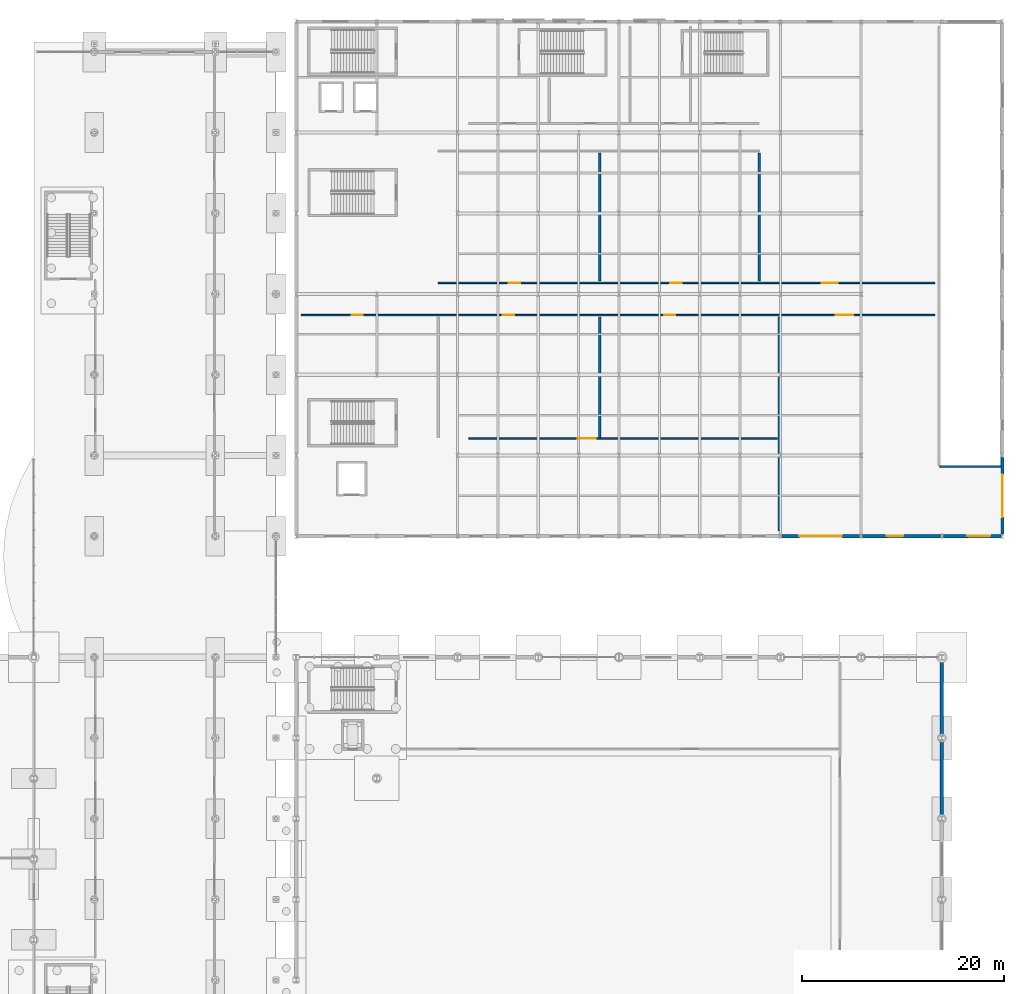
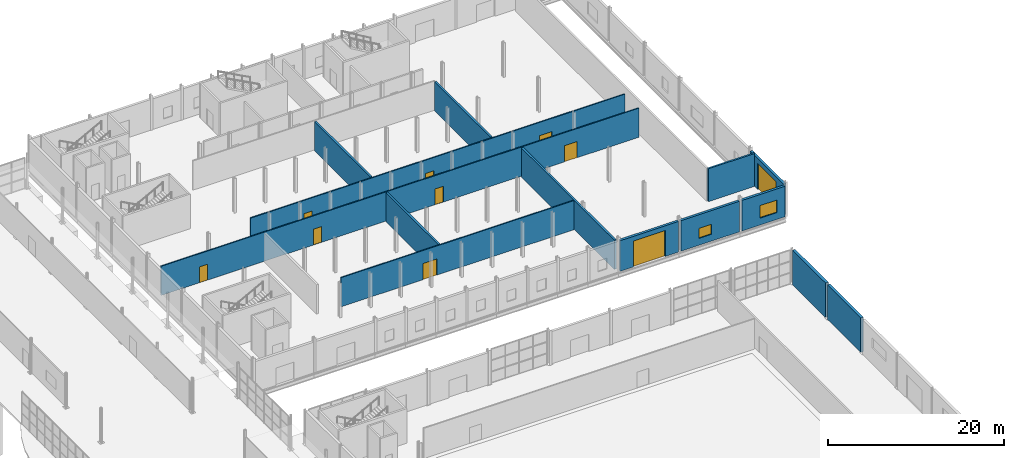
# One storey, part 82 of 101: 14 walls, 10 doors, 2 windows, 12 openings.
"""IFC4 building model written with IfcOpenShell, lengths in metres."""

from ifc_helpers import new_model, si_unit, derived_unit, direction, frame, frame_2d, origin, place, context, subcontext, project, spatial, rectangle, extrude, material, layer, layer_set, type_object, element, fill, save


model = new_model("IFC4")

# Units and contexts
model_context = context("Model", 3, precision=1e-05, world=origin(), true_north=direction((0.0, 1.0)))
body_context = subcontext(model_context, "Body", "Model", "MODEL_VIEW")
ifc_project = project(units=[si_unit("LENGTHUNIT", "METRE"), si_unit("AREAUNIT", "SQUARE_METRE"), si_unit("VOLUMEUNIT", "CUBIC_METRE"), si_unit("PLANEANGLEUNIT", "RADIAN"), si_unit("MASSUNIT", "GRAM", prefix="KILO"), derived_unit("THERMALTRANSMITTANCEUNIT", [(si_unit("POWERUNIT", "WATT"), 1), (si_unit("LENGTHUNIT", "METRE"), -2), (si_unit("THERMODYNAMICTEMPERATUREUNIT", "KELVIN"), -1)])], contexts=[model_context])

# Site, building, storey
site_placement = place(None, origin())
site = spatial("IfcSite", under=ifc_project, at=site_placement, CompositionType="ELEMENT")
building_placement = place(site_placement, origin())
building = spatial("IfcBuilding", under=site, at=building_placement, Name="Keldorne Ridge Multi-Sports Centre", CompositionType="ELEMENT")
storey_placement = place(building_placement, origin())
storey = spatial("IfcBuildingStorey", under=building, at=storey_placement, Name="L00", CompositionType="ELEMENT", Elevation=0.0)

# Walls
ifc_material_1 = material(Name="Moisture-resistant twin plumbing wall")
ifc_layer_1 = layer(ifc_material_1, 0.260009765625)
ifc_layer_set_1 = layer_set([ifc_layer_1])
wall_type_1 = type_object("IfcWallType", Name="WAL-PL-02", PredefinedType="PLUMBINGWALL", material=ifc_layer_set_1)
wall_1_placement = place(storey_placement, frame((134.10009765625, 75.800048828125, 0.0), z_axis=(0.0, 0.0, 1.0), x_axis=(0.0, 1.0, 0.0)))
element("IfcWall", 1, at=wall_1_placement, inside=storey, type_object=wall_type_1, Name="Team changing plumbing wall IW-L00-033", PredefinedType="PLUMBINGWALL", context=body_context, shape_type="SweptSolid", body=[
    extrude(rectangle(XDim=11.89990234375, YDim=0.260009765625, at=frame_2d((5.949951171875, 0.0))), origin(), (0.0, 0.0, 1.0), 4.050048828125),
])
wall_2_placement = place(storey_placement, frame((151.89990234375, 66.5, 0.0), z_axis=(0.0, 0.0, 1.0), x_axis=(0.0, 1.0, 0.0)))
element("IfcWall", 2, at=wall_2_placement, inside=storey, type_object=wall_type_1, Name="Team changing plumbing wall IW-L00-034", PredefinedType="PLUMBINGWALL", context=body_context, shape_type="SweptSolid", body=[
    extrude(rectangle(XDim=21.199951171875, YDim=0.260009765625, at=frame_2d((10.60009765625, 0.0))), origin(), (0.0, 0.0, 1.0), 4.050048828125),
])
for number, where, z_axis, x_axis, name in (
    (3, (134.10009765625, 91.300048828125, 0.0), (0.0, 0.0, 1.0), (0.0, 1.0, 0.0), "Team changing plumbing wall IW-L00-035"),
    (4, (149.89990234375, 91.300048828125, 0.0), (0.0, 0.0, 1.0), (0.0, 1.0, 0.0), "Team changing plumbing wall IW-L00-036"),
):
    element("IfcWall", number, at=place(storey_placement, frame(where, z_axis=z_axis, x_axis=x_axis)), inside=storey, type_object=wall_type_1, Name=name, PredefinedType="PLUMBINGWALL", context=body_context, shape_type="SweptSolid", body=[
        extrude(rectangle(XDim=12.699951171875, YDim=0.260009765625, at=frame_2d((6.35009765625, 0.0))), origin(), (0.0, 0.0, 1.0), 4.050048828125),
    ])

# Wall, opening, door
ifc_material_2 = material(Name="Precast concrete C40/50", Category="concrete")
ifc_layer_2 = layer(ifc_material_2, 0.320068359375)
ifc_layer_set_2 = layer_set([ifc_layer_2], Name="Precast concrete C40/50")
wall_type_2 = type_object("IfcWallType", Name="WAL-PR-W1", PredefinedType="STANDARD", material=ifc_layer_set_2)
wall_3_placement = place(storey_placement, frame((152.152099609375, 66.0, 0.0), z_axis=(0.0, 0.0, 1.0), x_axis=(1.0, 0.0, 0.0)))
wall_3 = element("IfcWall", 5, at=wall_3_placement, inside=storey, type_object=wall_type_2, Name="East Wing L00 south facade 11", PredefinedType="STANDARD", context=body_context, shape_type="SweptSolid", body=[
    extrude(rectangle(XDim=7.69580078125, YDim=0.320068359375, at=frame_2d((3.847900390625, 0.0))), origin(), (0.0, 0.0, 1.0), 4.2548828125),
])
opening_1_placement = place(wall_3_placement, frame((1.738037109375, 0.0, 0.0)))
opening_1 = element("IfcOpeningElement", 6, at=opening_1_placement, cuts=wall_3, Name="Opening VG-02", PredefinedType="OPENING", context=body_context, shape_type="SweptSolid", body=[
    extrude(rectangle(XDim=4.199951171875, YDim=3.60009765625, at=frame_2d((2.10009765625, 1.800048828125))), frame((0.0, 0.169921875, 0.0), z_axis=(0.0, -1.0, 0.0), x_axis=(1.0, 0.0, 0.0)), (0.0, 0.0, 1.0), 0.340087890625),
])
ifc_material_3 = material(Name="Galvanized steel", Category="steel")
door_type_1 = type_object("IfcDoorType", Name="DR-VG-02", OperationType="NOTDEFINED", PredefinedType="GATE", material=ifc_material_3)
door_1_placement = place(opening_1_placement, origin())
door_1 = element("IfcDoor", 7, at=door_1_placement, inside=storey, type_object=door_type_1, Name="Loading bay roller shutter gate VG-02", OperationType="ROLLINGUP", OverallHeight=3.60009765625, OverallWidth=4.199951171875, PredefinedType="GATE", context=body_context, shape_type="SweptSolid", body=[
    extrude(rectangle(XDim=4.199951171875, YDim=3.60009765625, at=frame_2d((2.10009765625, 1.800048828125))), frame((0.0, 0.02490234375, 0.0), z_axis=(0.0, -1.0, 0.0), x_axis=(1.0, 0.0, 0.0)), (0.0, 0.0, 1.0), 0.050048828125),
])
fill(opening_1, door_1)

# Wall, opening, window
wall_4_placement = place(storey_placement, frame((160.152099609375, 66.0, 0.0), z_axis=(0.0, 0.0, 1.0), x_axis=(1.0, 0.0, 0.0)))
wall_4 = element("IfcWall", 8, at=wall_4_placement, inside=storey, type_object=wall_type_2, Name="East Wing L00 south facade 12", PredefinedType="STANDARD", context=body_context, shape_type="SweptSolid", body=[
    extrude(rectangle(XDim=7.69580078125, YDim=0.320068359375, at=frame_2d((3.847900390625, 0.0))), origin(), (0.0, 0.0, 1.0), 4.2451171875),
])
opening_2_placement = place(wall_4_placement, frame((2.387939453125, 0.0, 0.949951171875)))
opening_2 = element("IfcOpeningElement", 9, at=opening_2_placement, cuts=wall_4, Name="Opening W-10", PredefinedType="OPENING", context=body_context, shape_type="SweptSolid", body=[
    extrude(rectangle(XDim=1.64990234375, YDim=1.39990234375, at=frame_2d((0.824951171875, 0.699951171875))), frame((0.0, 0.169921875, 0.0), z_axis=(0.0, -1.0, 0.0), x_axis=(1.0, 0.0, 0.0)), (0.0, 0.0, 1.0), 0.340087890625),
])
ifc_material_4 = material(Name="Anodized aluminium", Category="aluminium")
window_type_1 = type_object("IfcWindowType", Name="WIN-W-10", PartitioningType="SINGLE_PANEL", PredefinedType="WINDOW", material=ifc_material_4)
window_1_placement = place(opening_2_placement, origin())
window_1 = element("IfcWindow", 10, at=window_1_placement, inside=storey, type_object=window_type_1, Name="East Wing L00 south window W-039", OverallHeight=1.39990234375, OverallWidth=1.64990234375, PartitioningType="SINGLE_PANEL", PredefinedType="WINDOW", context=body_context, shape_type="SweptSolid", body=[
    extrude(rectangle(XDim=1.64990234375, YDim=1.39990234375, at=frame_2d((0.824951171875, 0.699951171875))), frame((0.0, 0.030029296875, 0.0), z_axis=(0.0, -1.0, 0.0), x_axis=(1.0, 0.0, 0.0)), (0.0, 0.0, 1.0), 0.06005859375),
])
fill(opening_2, window_1)

wall_5_placement = place(storey_placement, frame((168.152099609375, 66.0, 0.0), z_axis=(0.0, 0.0, 1.0), x_axis=(1.0, 0.0, 0.0)))
wall_5 = element("IfcWall", 11, at=wall_5_placement, inside=storey, type_object=wall_type_2, Name="East Wing L00 south facade 13", PredefinedType="STANDARD", context=body_context, shape_type="SweptSolid", body=[
    extrude(rectangle(XDim=5.69580078125, YDim=0.320068359375, at=frame_2d((2.847900390625, 0.0))), origin(), (0.0, 0.0, 1.0), 4.2451171875),
])
opening_3_placement = place(wall_5_placement, frame((2.387939453125, 0.0, 0.949951171875)))
opening_3 = element("IfcOpeningElement", 12, at=opening_3_placement, cuts=wall_5, Name="Opening W-11", PredefinedType="OPENING", context=body_context, shape_type="SweptSolid", body=[
    extrude(rectangle(XDim=2.25, YDim=1.75, at=frame_2d((1.125, 0.875))), frame((0.0, 0.169921875, 0.0), z_axis=(0.0, -1.0, 0.0), x_axis=(1.0, 0.0, 0.0)), (0.0, 0.0, 1.0), 0.340087890625),
])
window_type_2 = type_object("IfcWindowType", Name="WIN-W-11", PartitioningType="DOUBLE_PANEL_VERTICAL", PredefinedType="WINDOW", material=ifc_material_4)
window_2_placement = place(opening_3_placement, origin())
window_2 = element("IfcWindow", 13, at=window_2_placement, inside=storey, type_object=window_type_2, Name="East Wing L00 south window W-040", OverallHeight=1.75, OverallWidth=2.25, PartitioningType="SINGLE_PANEL", PredefinedType="WINDOW", context=body_context, shape_type="SweptSolid", body=[
    extrude(rectangle(XDim=2.25, YDim=1.75, at=frame_2d((1.125, 0.875))), frame((0.0, 0.030029296875, 0.0), z_axis=(0.0, -1.0, 0.0), x_axis=(1.0, 0.0, 0.0)), (0.0, 0.0, 1.0), 0.06005859375),
])
fill(opening_3, window_2)

# Wall, opening, door
wall_6_placement = place(storey_placement, frame((174.0, 66.201904296875, 0.0), z_axis=(0.0, 0.0, 1.0), x_axis=(0.0, 1.0, 0.0)))
wall_6 = element("IfcWall", 14, at=wall_6_placement, inside=storey, type_object=wall_type_2, Name="East Wing L00 east facade 1", PredefinedType="STANDARD", context=body_context, shape_type="SweptSolid", body=[
    extrude(rectangle(XDim=7.59619140625, YDim=0.320068359375, at=frame_2d((3.798095703125, 0.0))), origin(), (0.0, 0.0, 1.0), 4.300048828125),
])
opening_4_placement = place(wall_6_placement, frame((1.68798828125, 0.0, 0.0)))
opening_4 = element("IfcOpeningElement", 15, at=opening_4_placement, cuts=wall_6, Name="Opening VG-02", PredefinedType="OPENING", context=body_context, shape_type="SweptSolid", body=[
    extrude(rectangle(XDim=4.199951171875, YDim=3.60009765625, at=frame_2d((2.10009765625, 1.800048828125))), frame((0.0, 0.169921875, 0.0), z_axis=(0.0, -1.0, 0.0), x_axis=(1.0, 0.0, 0.0)), (0.0, 0.0, 1.0), 0.340087890625),
])
door_2_placement = place(opening_4_placement, origin())
door_2 = element("IfcDoor", 16, at=door_2_placement, inside=storey, type_object=door_type_1, Name="Service yard roller shutter gate VG-03", OperationType="ROLLINGUP", OverallHeight=3.60009765625, OverallWidth=4.199951171875, PredefinedType="GATE", context=body_context, shape_type="SweptSolid", body=[
    extrude(rectangle(XDim=4.199951171875, YDim=3.60009765625, at=frame_2d((2.10009765625, 1.800048828125))), frame((0.0, 0.02490234375, 0.0), z_axis=(0.0, -1.0, 0.0), x_axis=(1.0, 0.0, 0.0)), (0.0, 0.0, 1.0), 0.050048828125),
])
fill(opening_4, door_2)

# Walls
ifc_layer_3 = layer(ifc_material_2, 0.360107421875)
ifc_layer_set_3 = layer_set([ifc_layer_3], Name="Precast concrete C40/50")
wall_type_3 = type_object("IfcWallType", Name="WAL-PR-W2", PredefinedType="STANDARD", material=ifc_layer_set_3)
wall_7_placement = place(storey_placement, frame((168.0, 38.201904296875, 0.0), z_axis=(0.0, 0.0, 1.0), x_axis=(0.0, 1.0, 0.0)))
element("IfcWall", 17, at=wall_7_placement, inside=storey, type_object=wall_type_3, Name="Stacked Courts east acoustic wall L00.5", PredefinedType="STANDARD", context=body_context, shape_type="SweptSolid", body=[
    extrude(rectangle(XDim=7.59619140625, YDim=0.360107421875, at=frame_2d((3.798095703125, 0.0))), origin(), (0.0, 0.0, 1.0), 4.800048828125),
])
wall_8_placement = place(storey_placement, frame((168.0, 46.201904296875, 0.0), z_axis=(0.0, 0.0, 1.0), x_axis=(0.0, 1.0, 0.0)))
element("IfcWall", 18, at=wall_8_placement, inside=storey, type_object=wall_type_3, Name="Stacked Courts east acoustic wall L00.6", PredefinedType="STANDARD", context=body_context, shape_type="SweptSolid", body=[
    extrude(rectangle(XDim=7.5341796875, YDim=0.360107421875, at=frame_2d((3.76708984375, 0.0))), origin(), (0.0, 0.0, 1.0), 4.800048828125),
])

# Wall, openings, doors
ifc_material_5 = material(Name="Fire-rated twin stud plasterboard")
ifc_layer_4 = layer(ifc_material_5, 0.14990234375)
ifc_layer_set_4 = layer_set([ifc_layer_4])
wall_type_4 = type_object("IfcWallType", Name="WAL-PT-02", PredefinedType="PARTITIONING", material=ifc_layer_set_4)
wall_9_placement = place(storey_placement, frame((104.5, 87.89990234375, 0.0), z_axis=(0.0, 0.0, 1.0), x_axis=(1.0, 0.0, 0.0)))
wall_9 = element("IfcWall", 19, at=wall_9_placement, inside=storey, type_object=wall_type_4, Name="Ground athlete corridor south wall IW-L00-025", PredefinedType="PARTITIONING", context=body_context, shape_type="SweptSolid", body=[
    extrude(rectangle(XDim=62.800048828125, YDim=0.14990234375, at=frame_2d((31.39990234375, 0.0))), origin(), (0.0, 0.0, 1.0), 4.050048828125),
])
opening_5_placement = place(wall_9_placement, frame((5.0, 0.0, 0.0)))
opening_5 = element("IfcOpeningElement", 20, at=opening_5_placement, cuts=wall_9, Name="Opening D-03", PredefinedType="OPENING", context=body_context, shape_type="SweptSolid", body=[
    extrude(rectangle(XDim=1.10009765625, YDim=2.199951171875, at=frame_2d((0.550048828125, 1.10009765625))), frame((0.0, 0.0849609375, 0.0), z_axis=(0.0, -1.0, 0.0), x_axis=(1.0, 0.0, 0.0)), (0.0, 0.0, 1.0), 0.169921875),
])
opening_6_placement = place(wall_9_placement, frame((20.0, 0.0, 0.0)))
opening_6 = element("IfcOpeningElement", 21, at=opening_6_placement, cuts=wall_9, Name="Opening D-03", PredefinedType="OPENING", context=body_context, shape_type="SweptSolid", body=[
    extrude(rectangle(XDim=1.10009765625, YDim=2.199951171875, at=frame_2d((0.550048828125, 1.10009765625))), frame((0.0, 0.0849609375, 0.0), z_axis=(0.0, -1.0, 0.0), x_axis=(1.0, 0.0, 0.0)), (0.0, 0.0, 1.0), 0.169921875),
])
opening_7_placement = place(wall_9_placement, frame((36.0, 0.0, 0.0)))
opening_7 = element("IfcOpeningElement", 22, at=opening_7_placement, cuts=wall_9, Name="Opening D-03", PredefinedType="OPENING", context=body_context, shape_type="SweptSolid", body=[
    extrude(rectangle(XDim=1.10009765625, YDim=2.199951171875, at=frame_2d((0.550048828125, 1.10009765625))), frame((0.0, 0.0849609375, 0.0), z_axis=(0.0, -1.0, 0.0), x_axis=(1.0, 0.0, 0.0)), (0.0, 0.0, 1.0), 0.169921875),
])
opening_8_placement = place(wall_9_placement, frame((53.0, 0.0, 0.0)))
opening_8 = element("IfcOpeningElement", 23, at=opening_8_placement, cuts=wall_9, Name="Opening D-11", PredefinedType="OPENING", context=body_context, shape_type="SweptSolid", body=[
    extrude(rectangle(XDim=1.699951171875, YDim=2.25, at=frame_2d((0.85009765625, 1.125))), frame((0.0, 0.0849609375, 0.0), z_axis=(0.0, -1.0, 0.0), x_axis=(1.0, 0.0, 0.0)), (0.0, 0.0, 1.0), 0.169921875),
])
ifc_material_6 = material(Name="Timber fire-resisting leaf", Category="wood")
door_type_2 = type_object("IfcDoorType", Name="DR-D-03", OperationType="NOTDEFINED", PredefinedType="DOOR", material=ifc_material_6)
door_3_placement = place(opening_5_placement, origin())
door_3 = element("IfcDoor", 24, at=door_3_placement, inside=storey, type_object=door_type_2, Name="Match Officials changing door D-085", OperationType="SINGLE_SWING_LEFT", OverallHeight=2.199951171875, OverallWidth=1.10009765625, PredefinedType="DOOR", context=body_context, shape_type="SweptSolid", body=[
    extrude(rectangle(XDim=1.10009765625, YDim=2.199951171875, at=frame_2d((0.550048828125, 1.10009765625))), frame((0.0, 0.02490234375, 0.0), z_axis=(0.0, -1.0, 0.0), x_axis=(1.0, 0.0, 0.0)), (0.0, 0.0, 1.0), 0.050048828125),
])
fill(opening_5, door_3)
door_4_placement = place(opening_6_placement, origin())
door_4 = element("IfcDoor", 25, at=door_4_placement, inside=storey, type_object=door_type_2, Name="Home Team Changing 1 door D-086", OperationType="SINGLE_SWING_RIGHT", OverallHeight=2.199951171875, OverallWidth=1.10009765625, PredefinedType="DOOR", context=body_context, shape_type="SweptSolid", body=[
    extrude(rectangle(XDim=1.10009765625, YDim=2.199951171875, at=frame_2d((0.550048828125, 1.10009765625))), frame((0.0, 0.02490234375, 0.0), z_axis=(0.0, -1.0, 0.0), x_axis=(1.0, 0.0, 0.0)), (0.0, 0.0, 1.0), 0.050048828125),
])
fill(opening_6, door_4)
door_5_placement = place(opening_7_placement, origin())
door_5 = element("IfcDoor", 26, at=door_5_placement, inside=storey, type_object=door_type_2, Name="Home Team Changing 2 door D-087", OperationType="SINGLE_SWING_LEFT", OverallHeight=2.199951171875, OverallWidth=1.10009765625, PredefinedType="DOOR", context=body_context, shape_type="SweptSolid", body=[
    extrude(rectangle(XDim=1.10009765625, YDim=2.199951171875, at=frame_2d((0.550048828125, 1.10009765625))), frame((0.0, 0.02490234375, 0.0), z_axis=(0.0, -1.0, 0.0), x_axis=(1.0, 0.0, 0.0)), (0.0, 0.0, 1.0), 0.050048828125),
])
fill(opening_7, door_5)
ifc_material_7 = material(Name="Steel acoustic pair", Category="steel")
door_type_3 = type_object("IfcDoorType", Name="DR-D-11", OperationType="NOTDEFINED", PredefinedType="DOOR", material=ifc_material_7)
door_6_placement = place(opening_8_placement, origin())
door_6 = element("IfcDoor", 27, at=door_6_placement, inside=storey, type_object=door_type_3, Name="Loading bay internal airlock door D-088", OperationType="DOUBLE_DOOR_SINGLE_SWING", OverallHeight=2.25, OverallWidth=1.699951171875, PredefinedType="DOOR", context=body_context, shape_type="SweptSolid", body=[
    extrude(rectangle(XDim=1.699951171875, YDim=2.25, at=frame_2d((0.85009765625, 1.125))), frame((0.0, 0.02490234375, 0.0), z_axis=(0.0, -1.0, 0.0), x_axis=(1.0, 0.0, 0.0)), (0.0, 0.0, 1.0), 0.050048828125),
])
fill(opening_8, door_6)

wall_10_placement = place(storey_placement, frame((118.10009765625, 91.10009765625, 0.0), z_axis=(0.0, 0.0, 1.0), x_axis=(1.0, 0.0, 0.0)))
wall_10 = element("IfcWall", 28, at=wall_10_placement, inside=storey, type_object=wall_type_4, Name="Ground athlete corridor north wall IW-L00-026", PredefinedType="PARTITIONING", context=body_context, shape_type="SweptSolid", body=[
    extrude(rectangle(XDim=49.199951171875, YDim=0.14990234375, at=frame_2d((24.60009765625, 0.0))), origin(), (0.0, 0.0, 1.0), 4.050048828125),
])
opening_9_placement = place(wall_10_placement, frame((7.0, 0.0, 0.0)))
opening_9 = element("IfcOpeningElement", 29, at=opening_9_placement, cuts=wall_10, Name="Opening D-03", PredefinedType="OPENING", context=body_context, shape_type="SweptSolid", body=[
    extrude(rectangle(XDim=1.10009765625, YDim=2.199951171875, at=frame_2d((0.550048828125, 1.10009765625))), frame((0.0, 0.0849609375, 0.0), z_axis=(0.0, -1.0, 0.0), x_axis=(1.0, 0.0, 0.0)), (0.0, 0.0, 1.0), 0.169921875),
])
opening_10_placement = place(wall_10_placement, frame((23.0, 0.0, 0.0)))
opening_10 = element("IfcOpeningElement", 30, at=opening_10_placement, cuts=wall_10, Name="Opening D-03", PredefinedType="OPENING", context=body_context, shape_type="SweptSolid", body=[
    extrude(rectangle(XDim=1.10009765625, YDim=2.199951171875, at=frame_2d((0.550048828125, 1.10009765625))), frame((0.0, 0.0849609375, 0.0), z_axis=(0.0, -1.0, 0.0), x_axis=(1.0, 0.0, 0.0)), (0.0, 0.0, 1.0), 0.169921875),
])
opening_11_placement = place(wall_10_placement, frame((38.0, 0.0, 0.0)))
opening_11 = element("IfcOpeningElement", 31, at=opening_11_placement, cuts=wall_10, Name="Opening D-04", PredefinedType="OPENING", context=body_context, shape_type="SweptSolid", body=[
    extrude(rectangle(XDim=1.60009765625, YDim=2.199951171875, at=frame_2d((0.800048828125, 1.10009765625))), frame((0.0, 0.0849609375, 0.0), z_axis=(0.0, -1.0, 0.0), x_axis=(1.0, 0.0, 0.0)), (0.0, 0.0, 1.0), 0.169921875),
])
door_7_placement = place(opening_9_placement, origin())
door_7 = element("IfcDoor", 32, at=door_7_placement, inside=storey, type_object=door_type_2, Name="Visiting Team Changing 1 door D-089", OperationType="SINGLE_SWING_RIGHT", OverallHeight=2.199951171875, OverallWidth=1.10009765625, PredefinedType="DOOR", context=body_context, shape_type="SweptSolid", body=[
    extrude(rectangle(XDim=1.10009765625, YDim=2.199951171875, at=frame_2d((0.550048828125, 1.10009765625))), frame((0.0, 0.02490234375, 0.0), z_axis=(0.0, -1.0, 0.0), x_axis=(1.0, 0.0, 0.0)), (0.0, 0.0, 1.0), 0.050048828125),
])
fill(opening_9, door_7)
door_8_placement = place(opening_10_placement, origin())
door_8 = element("IfcDoor", 33, at=door_8_placement, inside=storey, type_object=door_type_2, Name="Visiting Team Changing 2 door D-090", OperationType="SINGLE_SWING_LEFT", OverallHeight=2.199951171875, OverallWidth=1.10009765625, PredefinedType="DOOR", context=body_context, shape_type="SweptSolid", body=[
    extrude(rectangle(XDim=1.10009765625, YDim=2.199951171875, at=frame_2d((0.550048828125, 1.10009765625))), frame((0.0, 0.02490234375, 0.0), z_axis=(0.0, -1.0, 0.0), x_axis=(1.0, 0.0, 0.0)), (0.0, 0.0, 1.0), 0.050048828125),
])
fill(opening_10, door_8)
ifc_material_8 = material(Name="Timber fire-resisting pair", Category="wood")
door_type_4 = type_object("IfcDoorType", Name="DR-D-04", OperationType="NOTDEFINED", PredefinedType="DOOR", material=ifc_material_8)
door_9_placement = place(opening_11_placement, origin())
door_9 = element("IfcDoor", 34, at=door_9_placement, inside=storey, type_object=door_type_4, Name="East escape lobby C3 door D-091", OperationType="DOUBLE_DOOR_SINGLE_SWING", OverallHeight=2.199951171875, OverallWidth=1.60009765625, PredefinedType="DOOR", context=body_context, shape_type="SweptSolid", body=[
    extrude(rectangle(XDim=1.60009765625, YDim=2.199951171875, at=frame_2d((0.800048828125, 1.10009765625))), frame((0.0, 0.02490234375, 0.0), z_axis=(0.0, -1.0, 0.0), x_axis=(1.0, 0.0, 0.0)), (0.0, 0.0, 1.0), 0.050048828125),
])
fill(opening_11, door_9)

# Wall, opening, door
wall_11_placement = place(storey_placement, frame((121.10009765625, 75.699951171875, 0.0), z_axis=(0.0, 0.0, 1.0), x_axis=(1.0, 0.0, 0.0)))
wall_11 = element("IfcWall", 35, at=wall_11_placement, inside=storey, type_object=wall_type_4, Name="South equipment store wall IW-L00-037", PredefinedType="PARTITIONING", context=body_context, shape_type="SweptSolid", body=[
    extrude(rectangle(XDim=30.599853515625, YDim=0.14990234375, at=frame_2d((15.2998046875, 0.0))), origin(), (0.0, 0.0, 1.0), 4.050048828125),
])
opening_12_placement = place(wall_11_placement, frame((10.800048828125, 0.0, 0.0)))
opening_12 = element("IfcOpeningElement", 36, at=opening_12_placement, cuts=wall_11, Name="Opening D-06", PredefinedType="OPENING", context=body_context, shape_type="SweptSolid", body=[
    extrude(rectangle(XDim=1.800048828125, YDim=2.25, at=frame_2d((0.89990234375, 1.125))), frame((0.0, 0.0849609375, 0.0), z_axis=(0.0, -1.0, 0.0), x_axis=(1.0, 0.0, 0.0)), (0.0, 0.0, 1.0), 0.169921875),
])
door_type_5 = type_object("IfcDoorType", Name="DR-D-06", OperationType="NOTDEFINED", PredefinedType="DOOR", material=ifc_material_7)
door_10_placement = place(opening_12_placement, origin())
door_10 = element("IfcDoor", 37, at=door_10_placement, inside=storey, type_object=door_type_5, Name="South equipment store double door D-096", OperationType="DOUBLE_DOOR_SINGLE_SWING", OverallHeight=2.25, OverallWidth=1.800048828125, PredefinedType="DOOR", context=body_context, shape_type="SweptSolid", body=[
    extrude(rectangle(XDim=1.800048828125, YDim=2.25, at=frame_2d((0.89990234375, 1.125))), frame((0.0, 0.02490234375, 0.0), z_axis=(0.0, -1.0, 0.0), x_axis=(1.0, 0.0, 0.0)), (0.0, 0.0, 1.0), 0.050048828125),
])
fill(opening_12, door_10)

# Wall
ifc_material_9 = material(Name="Concrete C40/50", Category="concrete")
ifc_layer_5 = layer(ifc_material_9, 0.22998046875)
ifc_layer_set_5 = layer_set([ifc_layer_5], Name="Concrete C40/50")
wall_type_5 = type_object("IfcWallType", Name="WAL-SW02", PredefinedType="SHEAR", material=ifc_layer_set_5)
wall_12_placement = place(storey_placement, frame((167.75, 72.89990234375, 0.0), z_axis=(0.0, 0.0, 1.0), x_axis=(1.0, 0.0, 0.0)))
element("IfcWall", 38, at=wall_12_placement, inside=storey, type_object=wall_type_5, Name="Ground vehicle ramp south closure wall", PredefinedType="SHEAR", context=body_context, shape_type="SweptSolid", body=[
    extrude(rectangle(XDim=6.10009765625, YDim=0.22998046875, at=frame_2d((3.050048828125, 0.0))), origin(), (0.0, 0.0, 1.0), 4.580078125),
])

save(model, "model.ifc")
